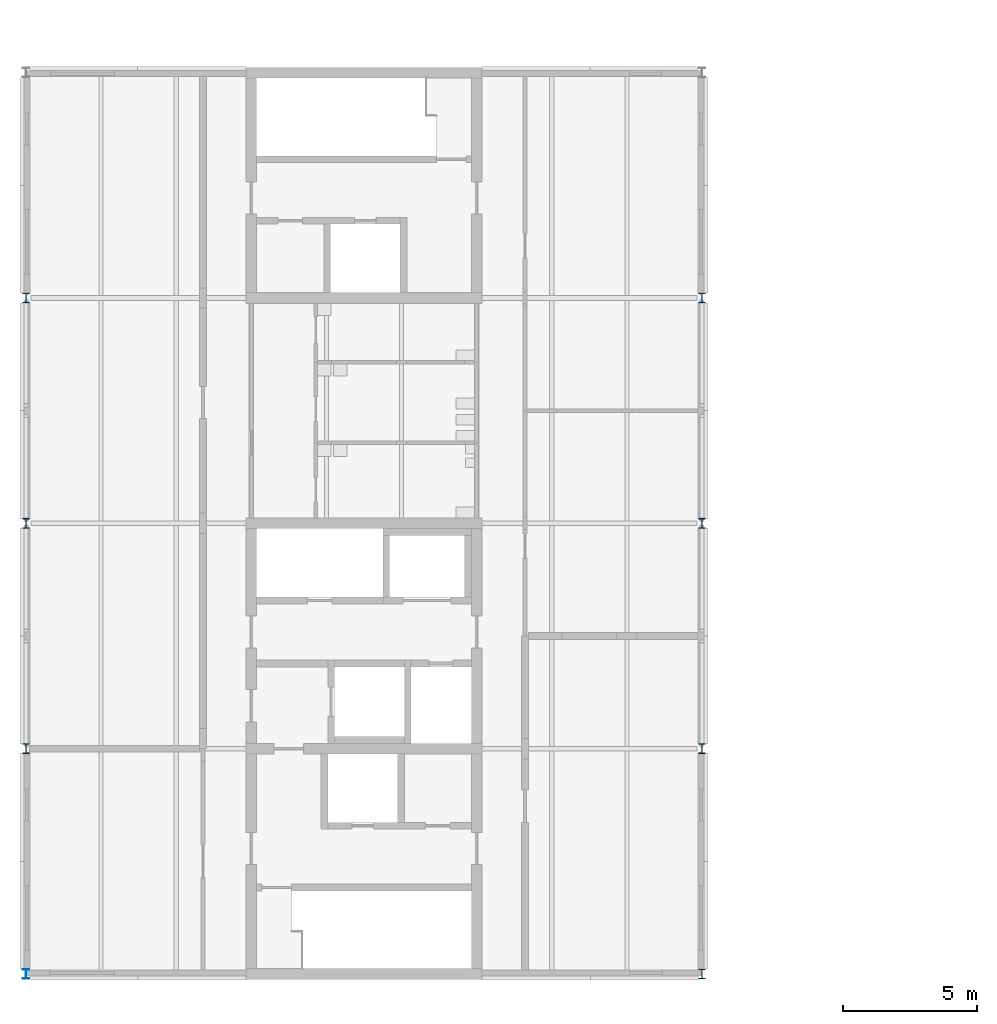
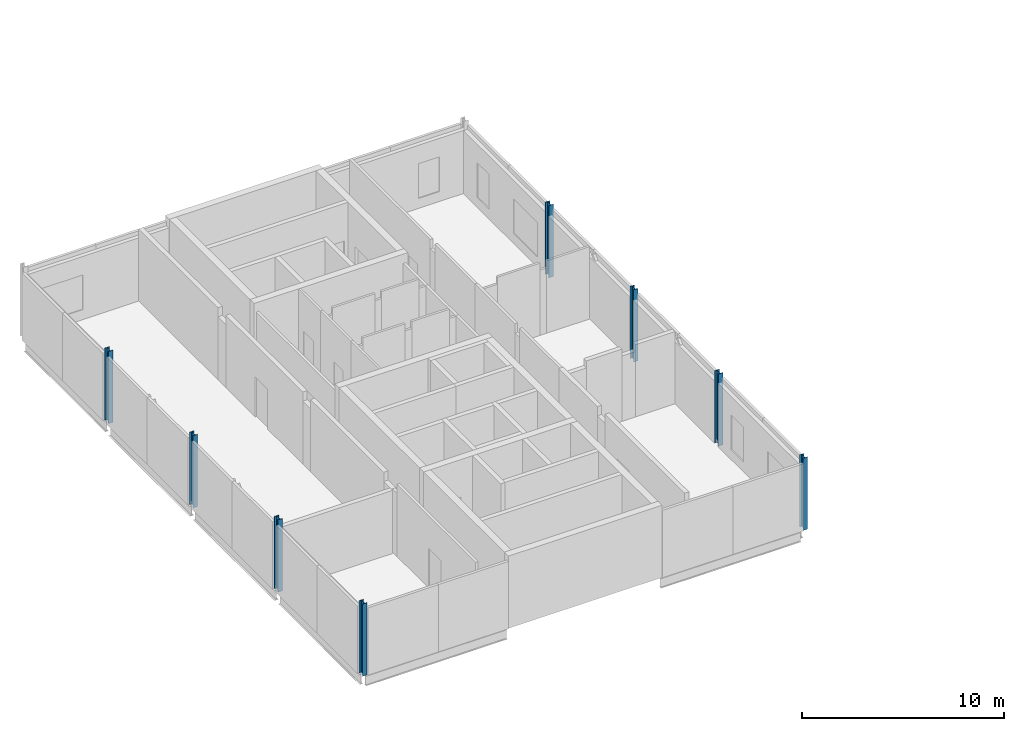
# One storey, part 1 of 26: 8 columns.
"""IFC4 building model written with IfcOpenShell, lengths in metres."""

from ifc_helpers import new_model, si_unit, direction, frame, origin, origin_2d, place, context, subcontext, project, spatial, i_section, extrude, material, material_profile, profile_set, type_object, element, save


model = new_model("IFC4")

# Units and contexts
model_context = context("Model", 3, precision=1e-05, world=origin(), true_north=direction((0.0, 1.0)))
body_context = subcontext(model_context, "Body", "Model", "MODEL_VIEW")
ifc_project = project(units=[si_unit("LENGTHUNIT", "METRE"), si_unit("AREAUNIT", "SQUARE_METRE"), si_unit("VOLUMEUNIT", "CUBIC_METRE"), si_unit("PLANEANGLEUNIT", "RADIAN"), si_unit("MASSUNIT", "GRAM", prefix="KILO")], contexts=[model_context])

# Site, building, storey
site_placement = place(None, origin())
site = spatial("IfcSite", under=ifc_project, at=site_placement, CompositionType="ELEMENT")
building_placement = place(site_placement, origin())
building = spatial("IfcBuilding", under=site, at=building_placement, Name="Hlaing Beacon Police Headquarters", CompositionType="ELEMENT")
storey_placement = place(building_placement, frame((0.0, 0.0, 23.39990234375)))
storey = spatial("IfcBuildingStorey", under=building, at=storey_placement, Name="L05", CompositionType="ELEMENT", Elevation=23.39990234375)

# Columns
ifc_material_1 = material(Name="Steel ASTM A992 Grade 50", Category="steel")
ifc_material_profile_1 = material_profile(ifc_material_1, i_section(OverallWidth=0.25390625, OverallDepth=0.35302734375, WebThickness=0.009521484375, FlangeThickness=0.016357421875, FilletRadius=0.01513671875, at=origin_2d()), Name="W14x61")
ifc_profile_set_1 = profile_set([ifc_material_profile_1], Name="Steel ASTM A992 Grade 50")
column_type_1 = type_object("IfcColumnType", Name="Steel column W14x61", PredefinedType="COLUMN", material=ifc_profile_set_1)
column_placement = place(storey_placement, frame((8.39990234375, 33.60009765625, 0.0), z_axis=(0.0, 0.0, 1.0), x_axis=(1.0, 0.0, 0.0)))
element("IfcColumn", 1, at=column_placement, inside=storey, type_object=column_type_1, Name="STR-COL-L05-B5", PredefinedType="COLUMN", context=body_context, shape_type="SweptSolid", body=[
    extrude(i_section(OverallWidth=0.25390625, OverallDepth=0.35302734375, WebThickness=0.009521484375, FlangeThickness=0.016357421875, FilletRadius=0.01513671875, at=origin_2d()), origin(), (0.0, 0.0, 1.0), 4.3701171875),
])
ifc_material_2 = material(Name="Steel ASTM A992 Grade 50", Category="steel")
ifc_material_profile_2 = material_profile(ifc_material_2, i_section(OverallWidth=0.256591796875, OverallDepth=0.36328125, WebThickness=0.012939453125, FlangeThickness=0.021728515625, FilletRadius=0.01513671875, at=origin_2d()), Name="W14x82")
ifc_profile_set_2 = profile_set([ifc_material_profile_2], Name="Steel ASTM A992 Grade 50")
column_type_2 = type_object("IfcColumnType", Name="Steel column W14x82", PredefinedType="COLUMN", material=ifc_profile_set_2)
for number, where, z_axis, x_axis, name in (
    (2, (8.39990234375, 42.0, 0.0), (0.0, 0.0, 1.0), (1.0, 0.0, 0.0), "STR-COL-L05-B6"),
    (3, (8.39990234375, 50.39990234375, 0.0), (0.0, 0.0, 1.0), (1.0, 0.0, 0.0), "STR-COL-L05-B7"),
    (4, (8.39990234375, 58.800048828125, 0.0), (0.0, 0.0, 1.0), (1.0, 0.0, 0.0), "STR-COL-L05-B8"),
    (5, (33.60009765625, 33.60009765625, 0.0), (0.0, 0.0, 1.0), (1.0, 0.0, 0.0), "STR-COL-L05-E5"),
    (6, (33.60009765625, 42.0, 0.0), (0.0, 0.0, 1.0), (1.0, 0.0, 0.0), "STR-COL-L05-E6"),
    (7, (33.60009765625, 50.39990234375, 0.0), (0.0, 0.0, 1.0), (1.0, 0.0, 0.0), "STR-COL-L05-E7"),
    (8, (33.60009765625, 58.800048828125, 0.0), (0.0, 0.0, 1.0), (1.0, 0.0, 0.0), "STR-COL-L05-E8"),
):
    element("IfcColumn", number, at=place(storey_placement, frame(where, z_axis=z_axis, x_axis=x_axis)), inside=storey, type_object=column_type_2, Name=name, PredefinedType="COLUMN", context=body_context, shape_type="SweptSolid", body=[
        extrude(i_section(OverallWidth=0.256591796875, OverallDepth=0.36328125, WebThickness=0.012939453125, FlangeThickness=0.021728515625, FilletRadius=0.01513671875, at=origin_2d()), origin(), (0.0, 0.0, 1.0), 4.3701171875),
    ])

save(model, "model.ifc")
